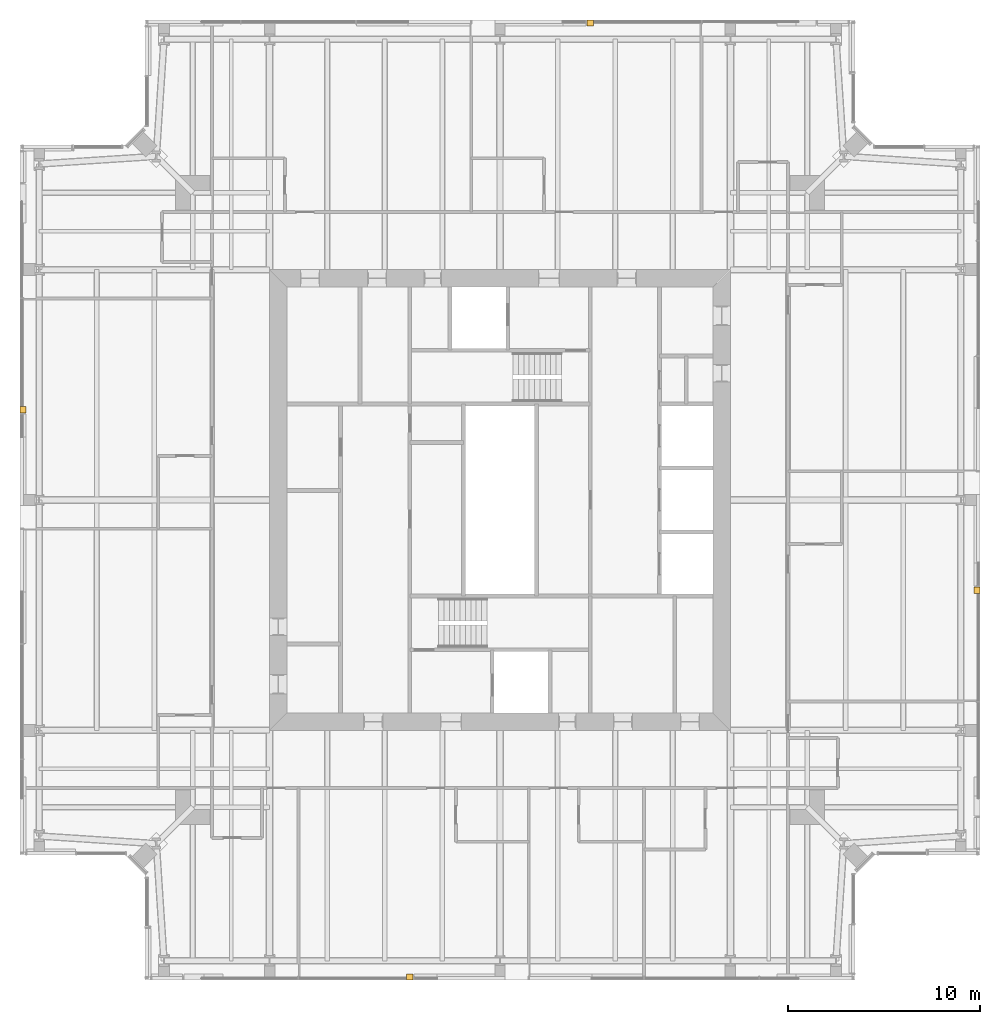
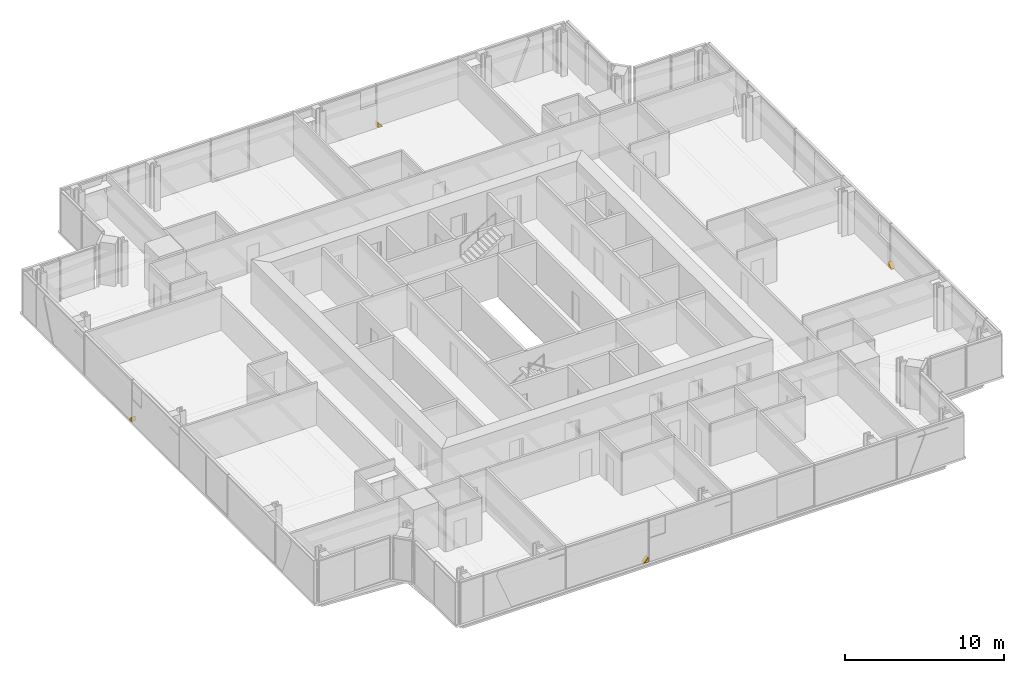
# One storey, part 20 of 20: 4 coverings.
"""IFC4 building model written with IfcOpenShell, lengths in metres."""

from ifc_helpers import new_model, si_unit, direction, frame, origin, place, context, subcontext, project, spatial, polyline, outline, extrude, material, layer, layer_set, type_object, element, save


model = new_model("IFC4")

# Units and contexts
model_context = context("Model", 3, precision=1e-05, world=origin(), true_north=direction((0.0, 1.0)))
body_context = subcontext(model_context, "Body", "Model", "MODEL_VIEW")
ifc_project = project(units=[si_unit("LENGTHUNIT", "METRE"), si_unit("AREAUNIT", "SQUARE_METRE"), si_unit("VOLUMEUNIT", "CUBIC_METRE"), si_unit("PLANEANGLEUNIT", "RADIAN"), si_unit("MASSUNIT", "GRAM", prefix="KILO")], contexts=[model_context])

# Site, building, storey
site_placement = place(None, origin())
site = spatial("IfcSite", under=ifc_project, at=site_placement, CompositionType="ELEMENT")
building_placement = place(site_placement, origin())
building = spatial("IfcBuilding", under=site, at=building_placement, Name="Fenwick Lantern Interchange", CompositionType="ELEMENT")
storey_placement = place(building_placement, frame((0.0, 0.0, 279.800048828125)))
storey = spatial("IfcBuildingStorey", under=building, at=storey_placement, Name="L67", CompositionType="ELEMENT", Elevation=279.800048828125)

# Coverings
ifc_material = material(Name="Granite cladding, warm grey flamed finish, on aluminium carrier frame", Category="masonry")
ifc_layer = layer(ifc_material, 0.300048828125)
ifc_layer_set = layer_set([ifc_layer], Name="BRACE CASING PANEL 300")
covering_type = type_object("IfcCoveringType", Name="BRACE CASING PANEL 300", PredefinedType="CLADDING", material=ifc_layer_set)
for number, where, z_axis, x_axis, name in (
    (1, (6.60009765625, 0.10009765625, 0.0), (0.0, 0.0, 1.0), (1.0, 0.0, 0.0), "Brace casing 01 bay 02a"),
    (2, (49.89990234375, 6.60009765625, 0.0), (0.0, 0.0, 1.0), (0.0, 1.0, 0.0), "Brace casing 05 bay 02a"),
    (3, (43.39990234375, 49.89990234375, 0.0), (0.0, 0.0, 1.0), (-1.0, 0.0, 0.0), "Brace casing 09 bay 02a"),
    (4, (0.10009765625, 43.39990234375, 0.0), (0.0, 0.0, 1.0), (0.0, -1.0, 0.0), "Brace casing 13 bay 02a"),
):
    element("IfcCovering", number, at=place(storey_placement, frame(where, z_axis=z_axis, x_axis=x_axis)), inside=storey, type_object=covering_type, Name=name, PredefinedType="CLADDING", context=body_context, shape_type="SweptSolid", body=[
        extrude(outline(polyline([(13.5341796875, 0.0), (13.8701171875, 0.0), (13.8701171875, 0.380615234375), (13.5341796875, 0.0)])), frame((0.0, 0.2099609375, 0.0), z_axis=(0.0, -1.0, 0.0), x_axis=(1.0, 0.0, 0.0)), (0.0, 0.0, 1.0), 0.300048828125),
    ])

save(model, "model.ifc")
